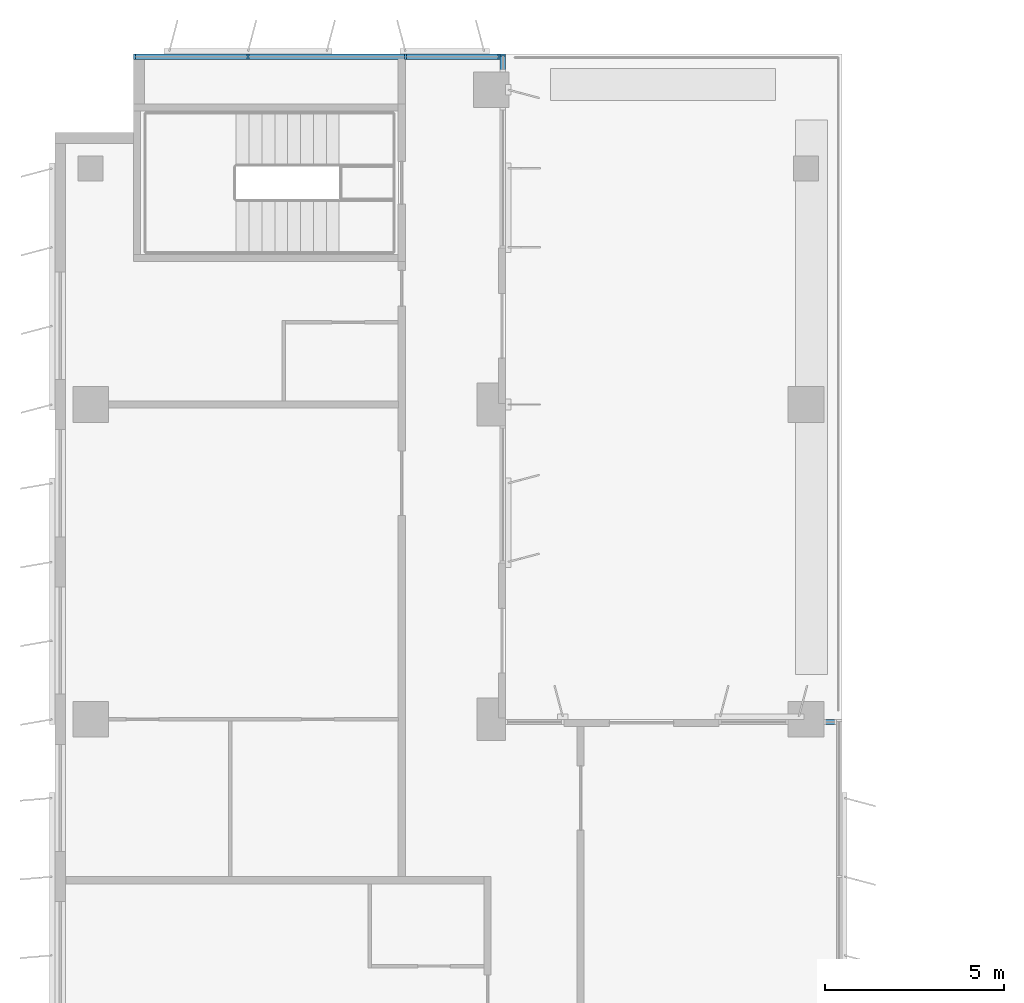
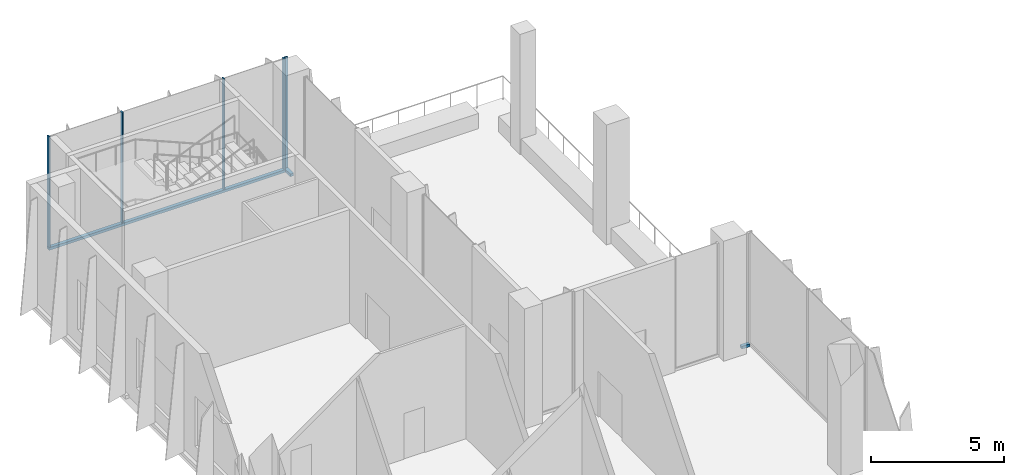
# One storey, part 8 of 24: 8 members, 3 elements without a shape of their own.
"""IFC4 building model written with IfcOpenShell, lengths in metres."""

from ifc_helpers import new_model, si_unit, direction, frame, origin, origin_2d, place, context, subcontext, project, spatial, rectangle, extrude, source, transform, mapped, material, material_profile, profile_set, type_object, element, aggregate, save


model = new_model("IFC4")

# Units and contexts
model_context = context("Model", 3, precision=1e-05, world=origin(), true_north=direction((0.0, 1.0)))
body_context = subcontext(model_context, "Body", "Model", "MODEL_VIEW")
ifc_project = project(units=[si_unit("LENGTHUNIT", "METRE"), si_unit("AREAUNIT", "SQUARE_METRE"), si_unit("VOLUMEUNIT", "CUBIC_METRE"), si_unit("PLANEANGLEUNIT", "RADIAN"), si_unit("MASSUNIT", "GRAM", prefix="KILO")], contexts=[model_context])

# Site, building, storey
site_placement = place(None, origin())
site = spatial("IfcSite", under=ifc_project, at=site_placement, CompositionType="ELEMENT")
building_placement = place(site_placement, origin())
building = spatial("IfcBuilding", under=site, at=building_placement, Name="Kemantara Hotel Tower", CompositionType="ELEMENT")
storey_placement = place(building_placement, frame((0.0, 0.0, 202.5)))
storey = spatial("IfcBuildingStorey", under=building, at=storey_placement, Name="L50", CompositionType="ELEMENT", Elevation=202.5)

# Curtain wall, member
ifc_material_1 = material(Name="Low-E tinted double insulated glass 36 mm", Category="glass")
curtain_wall_type = type_object("IfcCurtainWallType", Name="TOWER CURTAIN WALL, FRONT FACES", PredefinedType="USERDEFINED", material=ifc_material_1)
curtain_wall_1_placement = place(storey_placement, origin())
curtain_wall_1 = element("IfcCurtainWall", 1, at=curtain_wall_1_placement, inside=storey, type_object=curtain_wall_type, Name="CW4 L50 T3S-R01-1", ObjectType="TOWER CURTAIN WALL, FRONT FACES", PredefinedType="USERDEFINED")
ifc_material_2 = material(Name="Aluminium 6063-T6 bronze anodised", Category="aluminium")
ifc_material_profile_1 = material_profile(ifc_material_2, rectangle(XDim=0.14990234375, YDim=0.1201171875, at=origin_2d()), Name="TOWER CURTAIN WALL, FRONT FACES TRANSOM")
ifc_profile_set_1 = profile_set([ifc_material_profile_1], Name="Aluminium 6063-T6 bronze anodised")
member_type_1 = type_object("IfcMemberType", Name="TOWER CURTAIN WALL, FRONT FACES TRANSOM", PredefinedType="USERDEFINED", material=ifc_profile_set_1)
member_1_placement = place(storey_placement, frame((21.85009765625, 44.925048828125, 0.06005859375), z_axis=(-1.0, 0.0, 0.0), x_axis=(0.0, -1.0, 0.0)))
member_1 = element("IfcMember", 2, at=member_1_placement, type_object=member_type_1, Name="CW4 sill transom T3S-R01-1", ObjectType="TRANSOM", PredefinedType="USERDEFINED", context=body_context, shape_type="SweptSolid", body=[
    extrude(rectangle(XDim=0.14990234375, YDim=0.1201171875, at=origin_2d()), origin(), (0.0, 0.0, 1.0), 0.35009765625),
])
aggregate(curtain_wall_1, [member_1])

curtain_wall_2_placement = place(storey_placement, origin())
curtain_wall_2 = element("IfcCurtainWall", 3, at=curtain_wall_2_placement, inside=storey, type_object=curtain_wall_type, Name="CW4 L50 T3S-R02-3", ObjectType="TOWER CURTAIN WALL, FRONT FACES", PredefinedType="USERDEFINED")
member_2_placement = place(storey_placement, frame((12.52490234375, 63.10009765625, 0.06005859375), z_axis=(0.0, 1.0, 0.0), x_axis=(-1.0, 0.0, 0.0)))
member_2 = element("IfcMember", 4, at=member_2_placement, type_object=member_type_1, Name="CW4 sill transom T3S-R02-3", ObjectType="TRANSOM", PredefinedType="USERDEFINED", context=body_context, shape_type="SweptSolid", body=[
    extrude(rectangle(XDim=0.14990234375, YDim=0.1201171875, at=origin_2d()), origin(), (0.0, 0.0, 1.0), 0.5),
])

curtain_wall_3_placement = place(storey_placement, origin())
curtain_wall_3 = element("IfcCurtainWall", 5, at=curtain_wall_3_placement, inside=storey, type_object=curtain_wall_type, Name="CW4 L50 T3S-R03-1", ObjectType="TOWER CURTAIN WALL, FRONT FACES", PredefinedType="USERDEFINED")
member_3_placement = place(storey_placement, frame((12.449951171875, 63.52490234375, 0.06005859375), z_axis=(-1.0, 0.0, 0.0), x_axis=(0.0, -1.0, 0.0)))
member_3 = element("IfcMember", 6, at=member_3_placement, type_object=member_type_1, Name="CW4 sill transom T3S-R03-1", ObjectType="TRANSOM", PredefinedType="USERDEFINED", context=body_context, shape_type="SweptSolid", body=[
    extrude(rectangle(XDim=0.14990234375, YDim=0.1201171875, at=origin_2d()), origin(), (0.0, 0.0, 1.0), 10.25),
])

# Member
ifc_material_profile_2 = material_profile(ifc_material_2, rectangle(XDim=0.14990234375, YDim=0.06005859375, at=origin_2d()), Name="TOWER CURTAIN WALL, FRONT FACES MULLION")
ifc_profile_set_2 = profile_set([ifc_material_profile_2], Name="Aluminium 6063-T6 bronze anodised")
member_type_2 = type_object("IfcMemberType", Name="TOWER CURTAIN WALL, FRONT FACES MULLION", PredefinedType="MULLION", material=ifc_profile_set_2)
shared_shape = source(origin(), body_context, "Body", "SweptSolid", [
    extrude(rectangle(XDim=0.14990234375, YDim=0.06005859375, at=origin_2d()), origin(), (0.0, 0.0, 1.0), 5.079833984375),
])
member_4_placement = place(storey_placement, frame((12.52490234375, 63.570068359375, 0.1201171875), z_axis=(0.0, 0.0, 1.0), x_axis=(-1.0, 0.0, 0.0)))
member_4 = element("IfcMember", 7, at=member_4_placement, type_object=member_type_2, Name="CW4 mullion T3S-R02-3.2", PredefinedType="MULLION", context=body_context, shape_type="MappedRepresentation", body=[
    mapped(shared_shape, transform((0.0, 0.0, 0.0))),
])

aggregate(curtain_wall_2, [member_2, member_4])

member_5_placement = place(storey_placement, frame((12.419921875, 63.52490234375, 0.1201171875), z_axis=(0.0, 0.0, 1.0), x_axis=(0.0, -1.0, 0.0)))
member_5 = element("IfcMember", 8, at=member_5_placement, type_object=member_type_2, Name="CW4 mullion T3S-R03-1.1", PredefinedType="MULLION", context=body_context, shape_type="MappedRepresentation", body=[
    mapped(shared_shape, transform((0.0, 0.0, 0.0))),
])

member_6_placement = place(storey_placement, frame((9.800048828125, 63.52490234375, 0.1201171875), z_axis=(0.0, 0.0, 1.0), x_axis=(0.0, -1.0, 0.0)))
member_6 = element("IfcMember", 9, at=member_6_placement, type_object=member_type_2, Name="CW4 mullion T3S-R03-1.2", PredefinedType="MULLION", context=body_context, shape_type="MappedRepresentation", body=[
    mapped(shared_shape, transform((0.0, 0.0, 0.0))),
])

member_7_placement = place(storey_placement, frame((5.39990234375, 63.52490234375, 0.1201171875), z_axis=(0.0, 0.0, 1.0), x_axis=(0.0, -1.0, 0.0)))
member_7 = element("IfcMember", 10, at=member_7_placement, type_object=member_type_2, Name="CW4 mullion T3S-R03-1.3", PredefinedType="MULLION", context=body_context, shape_type="MappedRepresentation", body=[
    mapped(shared_shape, transform((0.0, 0.0, 0.0))),
])

member_8_placement = place(storey_placement, frame((2.22998046875, 63.52490234375, 0.1201171875), z_axis=(0.0, 0.0, 1.0), x_axis=(0.0, -1.0, 0.0)))
member_8 = element("IfcMember", 11, at=member_8_placement, type_object=member_type_2, Name="CW4 mullion T3S-R03-1.4", PredefinedType="MULLION", context=body_context, shape_type="MappedRepresentation", body=[
    mapped(shared_shape, transform((0.0, 0.0, 0.0))),
])

aggregate(curtain_wall_3, [member_3, member_5, member_6, member_7, member_8])

save(model, "model.ifc")
